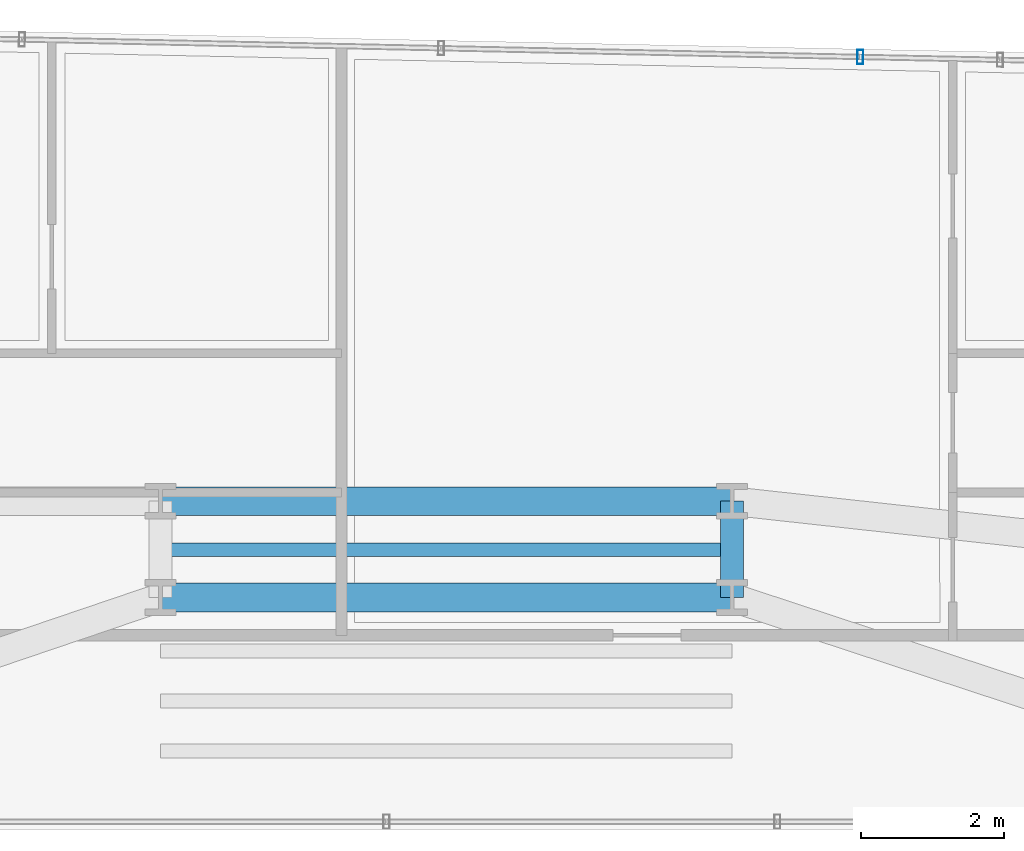
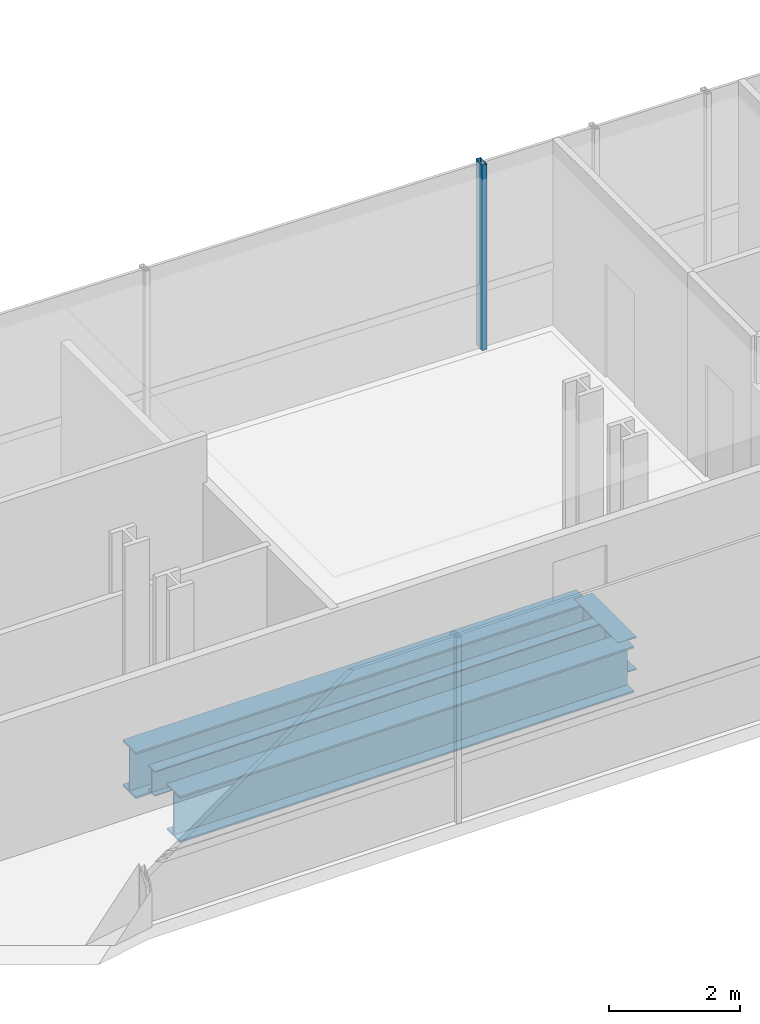
# One storey, part 20 of 40: 4 beams, 1 member, 1 element without a shape of its own.
"""IFC4 building model written with IfcOpenShell, lengths in metres."""

from ifc_helpers import new_model, si_unit, direction, frame, origin, origin_2d, place, context, subcontext, project, spatial, hollow_rectangle, i_section, extrude, source, transform, mapped, material, material_profile, profile_set, type_object, element, aggregate, save


model = new_model("IFC4")

# Units and contexts
model_context = context("Model", 3, precision=1e-05, world=origin(), true_north=direction((0.0, 1.0)))
body_context = subcontext(model_context, "Body", "Model", "MODEL_VIEW")
ifc_project = project(units=[si_unit("LENGTHUNIT", "METRE"), si_unit("AREAUNIT", "SQUARE_METRE"), si_unit("VOLUMEUNIT", "CUBIC_METRE"), si_unit("PLANEANGLEUNIT", "RADIAN"), si_unit("MASSUNIT", "GRAM", prefix="KILO")], contexts=[model_context])

# Site, building, storey
site_placement = place(None, origin())
site = spatial("IfcSite", under=ifc_project, at=site_placement, CompositionType="ELEMENT")
building_placement = place(site_placement, origin())
building = spatial("IfcBuilding", under=site, at=building_placement, Name="Valdorenza Pilgrim Sanctuary Tower", CompositionType="ELEMENT")
storey_placement = place(building_placement, frame((0.0, 0.0, 40.800048828125)))
storey = spatial("IfcBuildingStorey", under=building, at=storey_placement, Name="L09", CompositionType="ELEMENT", Elevation=40.800048828125)

# Beams
ifc_material_1 = material(Name="Steel ASTM A992 Grade 50", Category="steel")
ifc_material_profile_1 = material_profile(ifc_material_1, i_section(OverallWidth=0.39990234375, OverallDepth=0.862060546875, WebThickness=0.019775390625, FlangeThickness=0.032470703125, at=origin_2d()), Name="W33X221")
ifc_profile_set_1 = profile_set([ifc_material_profile_1], Name="Steel ASTM A992 Grade 50")
beam_type_1 = type_object("IfcBeamType", Name="STR-BM-GRD-W33", PredefinedType="BEAM", material=ifc_profile_set_1)
shared_shape_1 = source(origin(), body_context, "Body", "SweptSolid", [
    extrude(i_section(OverallWidth=0.39990234375, OverallDepth=0.862060546875, WebThickness=0.019775390625, FlangeThickness=0.032470703125, at=origin_2d()), origin(), (0.0, 0.0, 1.0), 8.0),
])
for number, where, z_axis, x_axis, name in (
    (1, (-4.0, 13.449951171875, -0.671142578125), (1.0, 0.0, 0.0), (0.0, 1.0, 0.0), "L09 Floor Girder KNK-G2"),
    (2, (-4.0, 14.800048828125, -0.671142578125), (1.0, 0.0, 0.0), (0.0, 1.0, 0.0), "L09 Floor Girder KNK-G5"),
):
    element("IfcBeam", number, at=place(storey_placement, frame(where, z_axis=z_axis, x_axis=x_axis)), inside=storey, type_object=beam_type_1, Name=name, PredefinedType="BEAM", context=body_context, shape_type="MappedRepresentation", body=[
        mapped(shared_shape_1, transform((0.0, 0.0, 0.0), x_axis=(1.0, 0.0, 0.0), y_axis=(0.0, 1.0, 0.0), z_axis=(0.0, 0.0, 1.0), scale=1.0)),
    ])
ifc_material_profile_2 = material_profile(ifc_material_1, i_section(OverallWidth=0.323974609375, OverallDepth=0.611083984375, WebThickness=0.0126953125, FlangeThickness=0.01904296875, at=origin_2d()), Name="W24X104")
ifc_profile_set_2 = profile_set([ifc_material_profile_2], Name="Steel ASTM A992 Grade 50")
beam_type_2 = type_object("IfcBeamType", Name="STR-BM-GRD-W24B", PredefinedType="BEAM", material=ifc_profile_set_2)
shared_shape_2 = source(origin(), body_context, "Body", "SweptSolid", [
    extrude(i_section(OverallWidth=0.323974609375, OverallDepth=0.611083984375, WebThickness=0.0126953125, FlangeThickness=0.01904296875, at=origin_2d()), origin(), (0.0, 0.0, 1.0), 1.35009765625),
])
beam_1_placement = place(storey_placement, frame((4.0, 13.449951171875, -0.545654296875), z_axis=(0.0, 1.0, 0.0), x_axis=(-1.0, 0.0, 0.0)))
element("IfcBeam", 3, at=beam_1_placement, inside=storey, type_object=beam_type_2, Name="L09 Floor Girder KNK-TIE-E", PredefinedType="BEAM", context=body_context, shape_type="MappedRepresentation", body=[
    mapped(shared_shape_2, transform((0.0, 0.0, 0.0), x_axis=(1.0, 0.0, 0.0), y_axis=(0.0, 1.0, 0.0), z_axis=(0.0, 0.0, 1.0), scale=1.0)),
])
ifc_material_profile_3 = material_profile(ifc_material_1, i_section(OverallWidth=0.193115234375, OverallDepth=0.466064453125, WebThickness=0.011474609375, FlangeThickness=0.01904296875, at=origin_2d()), Name="W18X65")
ifc_profile_set_3 = profile_set([ifc_material_profile_3], Name="Steel ASTM A992 Grade 50")
beam_type_3 = type_object("IfcBeamType", Name="STR-BM-JST-W18A", PredefinedType="JOIST", material=ifc_profile_set_3)
shared_shape_3 = source(origin(), body_context, "Body", "SweptSolid", [
    extrude(i_section(OverallWidth=0.193115234375, OverallDepth=0.466064453125, WebThickness=0.011474609375, FlangeThickness=0.01904296875, at=origin_2d()), origin(), (0.0, 0.0, 1.0), 8.0),
])
beam_2_placement = place(storey_placement, frame((-4.0, 14.1201171875, -0.47314453125), z_axis=(1.0, 0.0, 0.0), x_axis=(0.0, 1.0, 0.0)))
element("IfcBeam", 4, at=beam_2_placement, inside=storey, type_object=beam_type_3, Name="L09 Knuckle Composite Joist JST-KNK-4", PredefinedType="JOIST", context=body_context, shape_type="MappedRepresentation", body=[
    mapped(shared_shape_3, transform((0.0, 0.0, 0.0), x_axis=(1.0, 0.0, 0.0), y_axis=(0.0, 1.0, 0.0), z_axis=(0.0, 0.0, 1.0), scale=1.0)),
])

# Curtain wall, member
ifc_material_2 = material(Name="Curtain-wall IGU glazing", Category="glass")
curtain_wall_type = type_object("IfcCurtainWallType", Name="CW-SYS-02", PredefinedType="NOTDEFINED", material=ifc_material_2)
curtain_wall_placement = place(storey_placement, origin())
curtain_wall = element("IfcCurtainWall", 5, at=curtain_wall_placement, inside=storey, type_object=curtain_wall_type, Name="L09 Curtain Wall CW-L09-1-11", PredefinedType="NOTDEFINED")
ifc_material_3 = material(Name="Anodised aluminium AW-6060", Category="aluminium")
ifc_material_profile_4 = material_profile(ifc_material_3, hollow_rectangle(XDim=0.0849609375, YDim=0.199951171875, WallThickness=0.0048828125, at=origin_2d()), Name="ALU-M 200x85x5")
ifc_profile_set_4 = profile_set([ifc_material_profile_4], Name="Anodised aluminium AW-6060")
member_type = type_object("IfcMemberType", Name="CW-MUL-02", PredefinedType="MULLION", material=ifc_profile_set_4)
shared_shape_4 = source(origin(), body_context, "Body", "SweptSolid", [
    extrude(hollow_rectangle(XDim=0.0849609375, YDim=0.199951171875, WallThickness=0.0048828125, at=origin_2d()), origin(), (0.0, 0.0, 1.0), 3.4599609375),
])
member_placement = place(storey_placement, frame((5.797119140625, 21.019287109375, 0.0), z_axis=(0.0, 0.0, 1.0), x_axis=(0.999783234613, -0.020820273474, 0.0)))
member = element("IfcMember", 6, at=member_placement, type_object=member_type, Name="CW-L09-1-11 Mullion 4", PredefinedType="MULLION", context=body_context, shape_type="MappedRepresentation", body=[
    mapped(shared_shape_4, transform((0.0, 0.0, 0.0), x_axis=(1.0, 0.0, 0.0), y_axis=(0.0, 1.0, 0.0), z_axis=(0.0, 0.0, 1.0), scale=1.0)),
])
aggregate(curtain_wall, [member])

save(model, "model.ifc")
